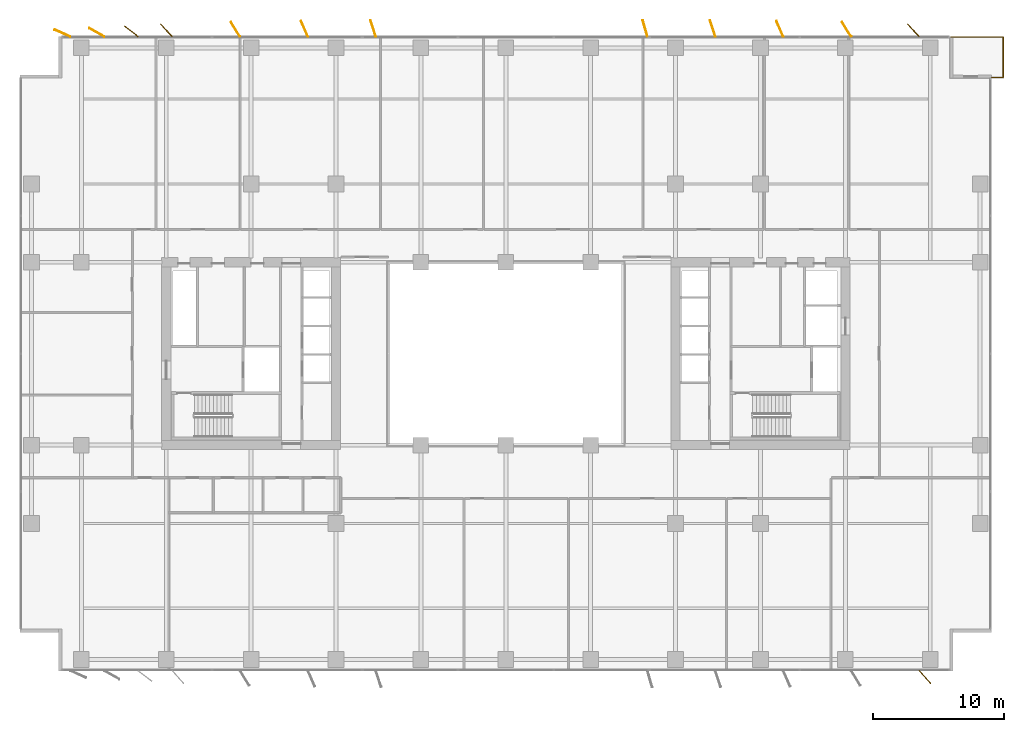
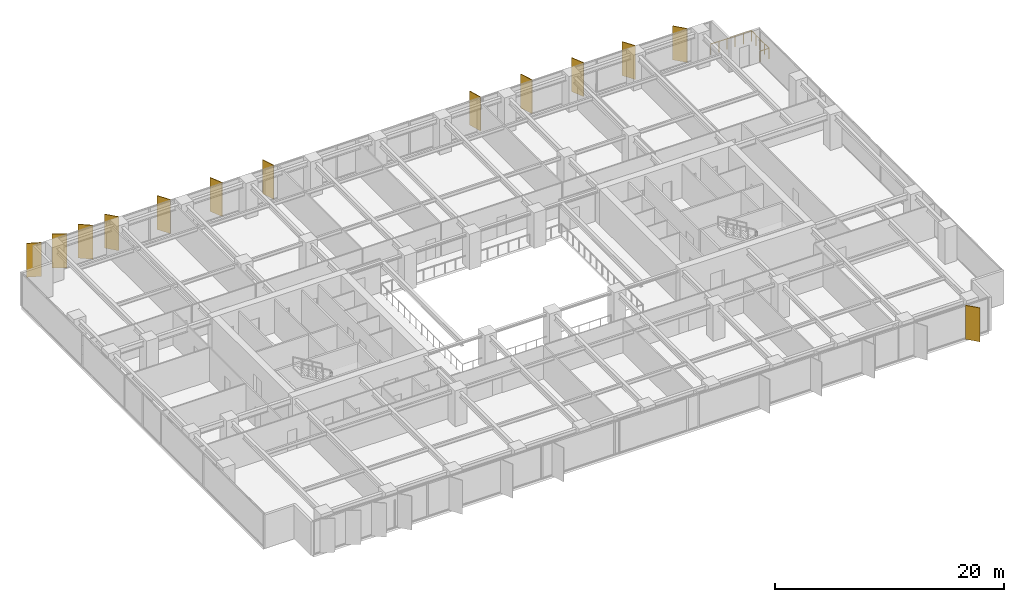
# One storey, part 20 of 20: 13 shading devices, 1 railing.
"""IFC4 building model written with IfcOpenShell, lengths in metres."""

from ifc_helpers import new_model, si_unit, direction, frame, origin, origin_2d, place, context, subcontext, project, spatial, rectangle, circle, extrude, material, layer, layer_set, type_object, element, save


model = new_model("IFC4")

# Units and contexts
model_context = context("Model", 3, precision=1e-05, world=origin(), true_north=direction((0.0, 1.0)))
body_context = subcontext(model_context, "Body", "Model", "MODEL_VIEW")
ifc_project = project(units=[si_unit("LENGTHUNIT", "METRE"), si_unit("AREAUNIT", "SQUARE_METRE"), si_unit("VOLUMEUNIT", "CUBIC_METRE"), si_unit("PLANEANGLEUNIT", "RADIAN"), si_unit("MASSUNIT", "GRAM", prefix="KILO")], contexts=[model_context])

# Site, building, storey
site_placement = place(None, origin())
site = spatial("IfcSite", under=ifc_project, at=site_placement, CompositionType="ELEMENT")
building_placement = place(site_placement, origin())
building = spatial("IfcBuilding", under=site, at=building_placement, Name="Putna Gate Headquarters", CompositionType="ELEMENT")
storey_placement = place(building_placement, frame((0.0, 0.0, 124.0)))
storey = spatial("IfcBuildingStorey", under=building, at=storey_placement, Name="L30", CompositionType="ELEMENT", Elevation=124.0)

# Railing
ifc_material_1 = material(Name="Anodised bronze steel and laminated glass guardrail", Category="steel")
railing_type = type_object("IfcRailingType", Name="RAIL-TERR-GUARD-1150", PredefinedType="GUARDRAIL", material=ifc_material_1)
railing_placement = place(storey_placement, frame((76.199951171875, 47.159912109375, 0.0)))
element("IfcRailing", 1, at=railing_placement, inside=storey, type_object=railing_type, Name="L30 Spiral Sky Terrace Guardrail NE", PredefinedType="GUARDRAIL", context=body_context, shape_type="SweptSolid", body=[
    extrude(circle(Radius=0.02392578125, at=origin_2d()), frame((0.0, 0.0, 1.1259765625), z_axis=(1.0, 0.0, 0.0), x_axis=(0.0, 1.0, 0.0)), (0.0, 0.0, 1.0), 0.89013671875),
    extrude(circle(Radius=0.02392578125, at=origin_2d()), frame((0.89013671875, 0.0, 1.1259765625), z_axis=(0.0, 1.0, 0.0), x_axis=(-1.0, 0.0, 0.0)), (0.0, 0.0, 1.0), 3.080078125),
    extrude(circle(Radius=0.02392578125, at=origin_2d()), frame((0.89013671875, 3.080078125, 1.1259765625), z_axis=(-1.0, 0.0, 0.0), x_axis=(0.0, -1.0, 0.0)), (0.0, 0.0, 1.0), 4.090087890625),
    extrude(circle(Radius=0.02099609375, at=origin_2d()), origin(), (0.0, 0.0, 1.0), 1.101806640625),
    extrude(circle(Radius=0.02099609375, at=origin_2d()), frame((0.89013671875, 0.0, 0.0)), (0.0, 0.0, 1.0), 1.101806640625),
    extrude(circle(Radius=0.02099609375, at=origin_2d()), frame((0.89013671875, 0.77001953125, 0.0)), (0.0, 0.0, 1.0), 1.101806640625),
    extrude(circle(Radius=0.02099609375, at=origin_2d()), frame((0.89013671875, 1.5400390625, 0.0)), (0.0, 0.0, 1.0), 1.101806640625),
    extrude(circle(Radius=0.02099609375, at=origin_2d()), frame((0.89013671875, 2.31005859375, 0.0)), (0.0, 0.0, 1.0), 1.101806640625),
    extrude(circle(Radius=0.02099609375, at=origin_2d()), frame((0.89013671875, 3.080078125, 0.0)), (0.0, 0.0, 1.0), 1.101806640625),
    extrude(circle(Radius=0.02099609375, at=origin_2d()), frame((0.072021484375, 3.080078125, 0.0)), (0.0, 0.0, 1.0), 1.101806640625),
    extrude(circle(Radius=0.02099609375, at=origin_2d()), frame((-0.745849609375, 3.080078125, 0.0)), (0.0, 0.0, 1.0), 1.101806640625),
    extrude(circle(Radius=0.02099609375, at=origin_2d()), frame((-1.56396484375, 3.080078125, 0.0)), (0.0, 0.0, 1.0), 1.101806640625),
    extrude(circle(Radius=0.02099609375, at=origin_2d()), frame((-2.3818359375, 3.080078125, 0.0)), (0.0, 0.0, 1.0), 1.101806640625),
    extrude(circle(Radius=0.02099609375, at=origin_2d()), frame((-3.199951171875, 3.080078125, 0.0)), (0.0, 0.0, 1.0), 1.101806640625),
])

# Shading devices
ifc_material_2 = material(Name="Anodised architectural bronze aluminium fin", Category="aluminium")
ifc_layer = layer(ifc_material_2, 0.06494140625)
ifc_layer_set = layer_set([ifc_layer], Name="Anodised architectural bronze aluminium fin")
shading_device_type = type_object("IfcShadingDeviceType", Name="SHADE-BRONZE-FIN-1320", PredefinedType="USERDEFINED", material=ifc_layer_set)
for number, where, z_axis, x_axis, name in (
    (2, (5.047119140625, 50.543212890625, -0.02001953125), (0.0, 0.0, 1.0), (-0.913687379856, 0.40641773078, 0.0), "L30 Bronze Vertical Shading Fin N1"),
    (3, (7.67626953125, 50.601318359375, -0.02001953125), (0.0, 0.0, 1.0), (-0.869322458298, 0.494245347472, 0.0), "L30 Bronze Vertical Shading Fin N2"),
    (4, (10.330322265625, 50.681884765625, -0.02001953125), (0.0, 0.0, 1.0), (-0.787473187632, 0.616348909921, 0.0), "L30 Bronze Vertical Shading Fin N3"),
    (5, (13.00830078125, 50.765380859375, -0.02001953125), (0.0, 0.0, 1.0), (-0.669130606359, 0.743144825477, 0.0), "L30 Bronze Vertical Shading Fin N4"),
    (6, (18.2998046875, 50.83447265625, -0.02001953125), (0.0, 0.0, 1.0), (-0.530659123936, 0.847585331506, 0.0), "L30 Bronze Vertical Shading Fin N5"),
    (7, (23.585693359375, 50.879638671875, -0.02001953125), (0.0, 0.0, 1.0), (-0.400668879095, 0.916222925562, 0.0), "L30 Bronze Vertical Shading Fin N6"),
    (8, (28.84619140625, 50.90283203125, -0.02001953125), (0.0, 0.0, 1.0), (-0.308684994204, 0.951164325631, 0.0), "L30 Bronze Vertical Shading Fin N7"),
    (9, (49.668212890625, 50.909423828125, -0.02001953125), (0.0, 0.0, 1.0), (-0.275637355817, 0.961261695938, 0.0), "L30 Bronze Vertical Shading Fin N8"),
    (10, (54.84619140625, 50.90283203125, -0.02001953125), (0.0, 0.0, 1.0), (-0.308684994204, 0.951164325631, 0.0), "L30 Bronze Vertical Shading Fin N9"),
    (11, (59.985595703125, 50.879638671875, -0.02001953125), (0.0, 0.0, 1.0), (-0.400668879095, 0.916222925562, 0.0), "L30 Bronze Vertical Shading Fin N10"),
    (12, (65.099853515625, 50.83447265625, -0.02001953125), (0.0, 0.0, 1.0), (-0.530659123936, 0.847585331506, 0.0), "L30 Bronze Vertical Shading Fin N11"),
    (13, (71.091552734375, 1.234619140625, -0.02001953125), (0.0, 0.0, 1.0), (0.669130606359, -0.743144825477, 0.0), "L30 Bronze Vertical Shading Fin S12"),
    (14, (70.20849609375, 50.765380859375, -0.02001953125), (0.0, 0.0, 1.0), (-0.669130606359, 0.743144825477, 0.0), "L30 Bronze Vertical Shading Fin N12"),
):
    element("IfcShadingDevice", number, at=place(storey_placement, frame(where, z_axis=z_axis, x_axis=x_axis)), inside=storey, type_object=shading_device_type, Name=name, ObjectType="FIN", PredefinedType="USERDEFINED", context=body_context, shape_type="SweptSolid", body=[
        extrude(rectangle(XDim=1.320068359375, YDim=0.06494140625, at=origin_2d()), origin(), (0.0, 0.0, 1.0), 3.60498046875),
    ])

save(model, "model.ifc")
